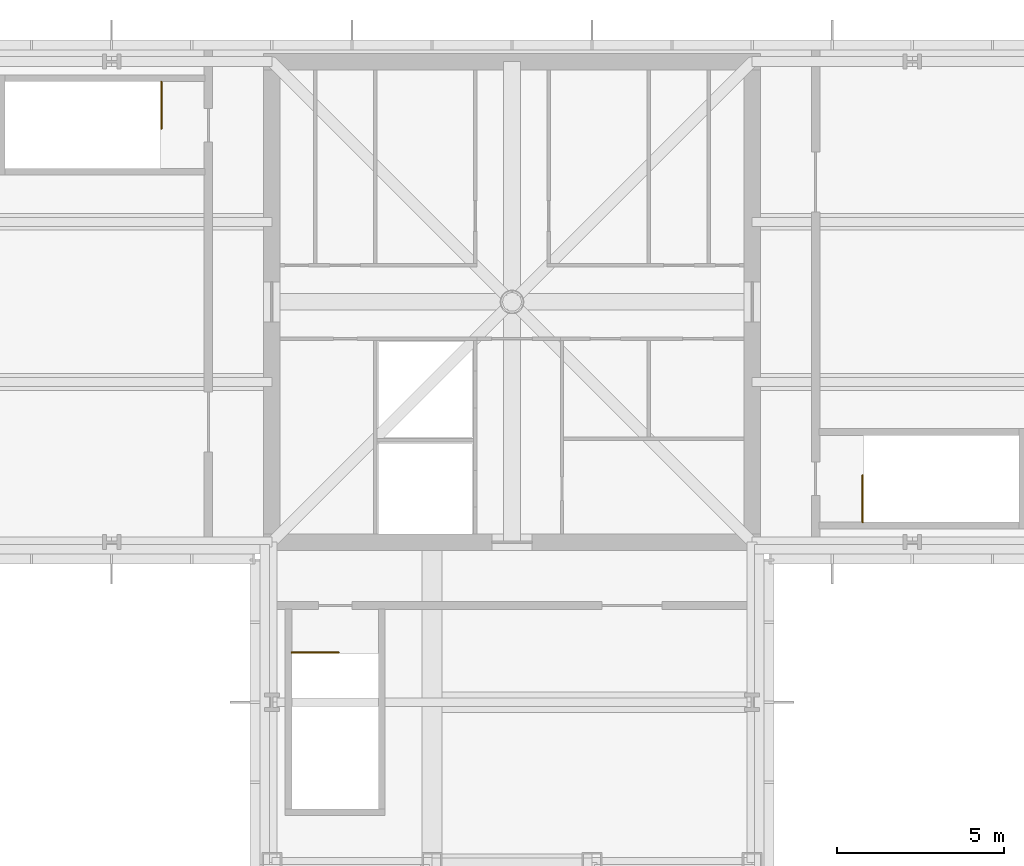
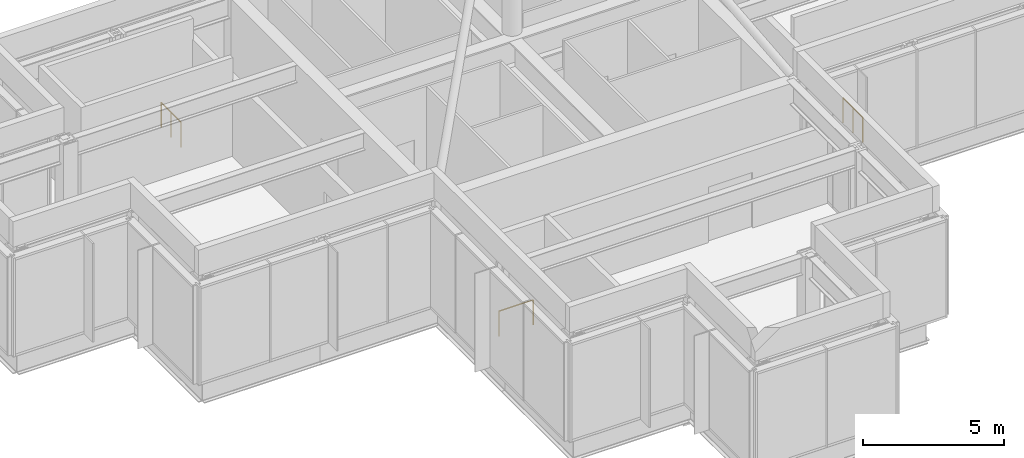
# One storey, part 10 of 10: 3 railings.
"""IFC4 building model written with IfcOpenShell, lengths in metres."""

from ifc_helpers import new_model, si_unit, direction, frame, origin, origin_2d, place, context, subcontext, project, spatial, circle, extrude, material, type_object, element, save


model = new_model("IFC4")

# Units and contexts
model_context = context("Model", 3, precision=1e-05, world=origin(), true_north=direction((0.0, 1.0)))
body_context = subcontext(model_context, "Body", "Model", "MODEL_VIEW")
ifc_project = project(units=[si_unit("LENGTHUNIT", "METRE"), si_unit("AREAUNIT", "SQUARE_METRE"), si_unit("VOLUMEUNIT", "CUBIC_METRE"), si_unit("PLANEANGLEUNIT", "RADIAN"), si_unit("MASSUNIT", "GRAM", prefix="KILO")], contexts=[model_context])

# Site, building, storey
site_placement = place(None, origin())
site = spatial("IfcSite", under=ifc_project, at=site_placement, CompositionType="ELEMENT")
building_placement = place(site_placement, origin())
building = spatial("IfcBuilding", under=site, at=building_placement, Name="Kvirike Care Tower", CompositionType="ELEMENT")
storey_placement = place(building_placement, frame((0.0, 0.0, 248.0)))
storey = spatial("IfcBuildingStorey", under=building, at=storey_placement, Name="L68", CompositionType="ELEMENT", Elevation=248.0)

# Railings
ifc_material = material(Name="Bronze-finish steel guard", Category="steel")
railing_type = type_object("IfcRailingType", Name="STAIR WELL GUARD 1100", PredefinedType="GUARDRAIL", material=ifc_material)
railing_1_placement = place(storey_placement, frame((11.090087890625, 42.60009765625, 0.0)))
element("IfcRailing", 1, at=railing_1_placement, inside=storey, type_object=railing_type, Name="Stair 1 top landing guard L68", PredefinedType="GUARDRAIL", context=body_context, shape_type="SweptSolid", body=[
    extrude(circle(Radius=0.02392578125, at=origin_2d()), frame((0.0, 0.0, 1.076171875), z_axis=(0.0, -1.0, 0.0), x_axis=(1.0, 0.0, 0.0)), (0.0, 0.0, 1.0), 1.400146484375),
    extrude(circle(Radius=0.02099609375, at=origin_2d()), origin(), (0.0, 0.0, 1.0), 1.052001953125),
    extrude(circle(Radius=0.02099609375, at=origin_2d()), frame((0.0, -0.7001953125, 0.0)), (0.0, 0.0, 1.0), 1.052001953125),
    extrude(circle(Radius=0.02099609375, at=origin_2d()), frame((0.0, -1.400146484375, 0.0)), (0.0, 0.0, 1.0), 1.052001953125),
])
railing_2_placement = place(storey_placement, frame((32.110107421875, 29.39990234375, 0.0)))
element("IfcRailing", 2, at=railing_2_placement, inside=storey, type_object=railing_type, Name="Stair 2 top landing guard L68", PredefinedType="GUARDRAIL", context=body_context, shape_type="SweptSolid", body=[
    extrude(circle(Radius=0.02392578125, at=origin_2d()), frame((0.0, 0.0, 1.076171875), z_axis=(0.0, 1.0, 0.0), x_axis=(-1.0, 0.0, 0.0)), (0.0, 0.0, 1.0), 1.400146484375),
    extrude(circle(Radius=0.02099609375, at=origin_2d()), origin(), (0.0, 0.0, 1.0), 1.052001953125),
    extrude(circle(Radius=0.02099609375, at=origin_2d()), frame((0.0, 0.7001953125, 0.0)), (0.0, 0.0, 1.0), 1.052001953125),
    extrude(circle(Radius=0.02099609375, at=origin_2d()), frame((0.0, 1.400146484375, 0.0)), (0.0, 0.0, 1.0), 1.052001953125),
])
railing_3_placement = place(storey_placement, frame((15.0, 25.489990234375, 0.0)))
element("IfcRailing", 3, at=railing_3_placement, inside=storey, type_object=railing_type, Name="Stair 5 top landing guard L68", PredefinedType="GUARDRAIL", context=body_context, shape_type="SweptSolid", body=[
    extrude(circle(Radius=0.02392578125, at=origin_2d()), frame((0.0, 0.0, 1.076171875), z_axis=(1.0, 0.0, 0.0), x_axis=(0.0, 1.0, 0.0)), (0.0, 0.0, 1.0), 1.39990234375),
    extrude(circle(Radius=0.02099609375, at=origin_2d()), origin(), (0.0, 0.0, 1.0), 1.052001953125),
    extrude(circle(Radius=0.02099609375, at=origin_2d()), frame((1.39990234375, 0.0, 0.0)), (0.0, 0.0, 1.0), 1.052001953125),
])

save(model, "model.ifc")
